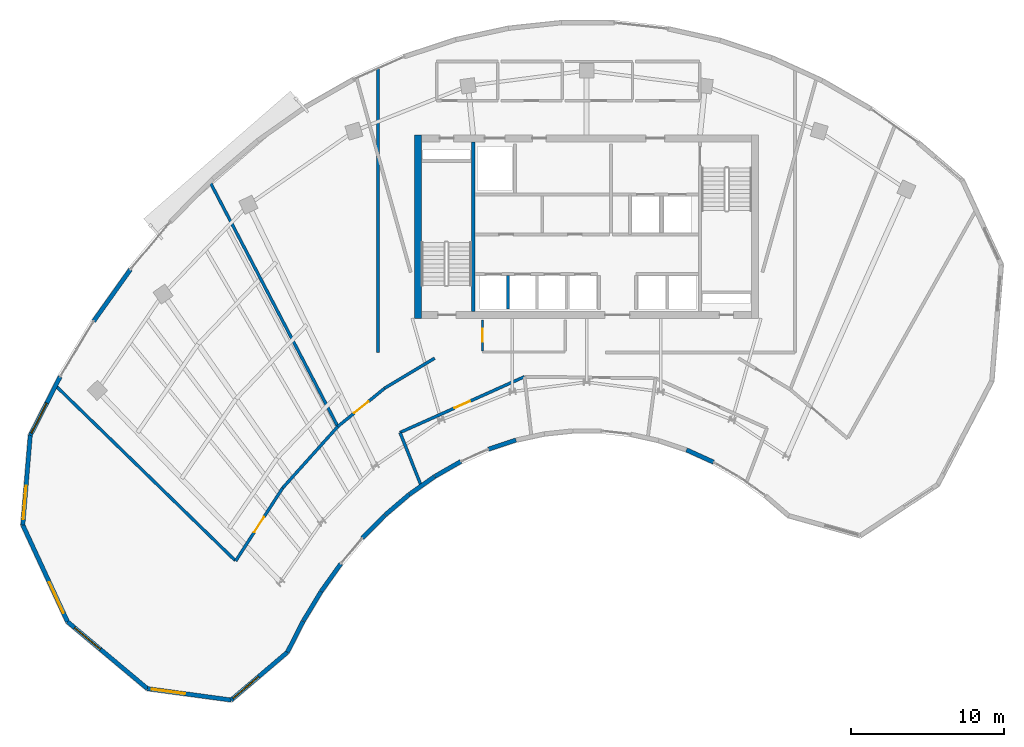
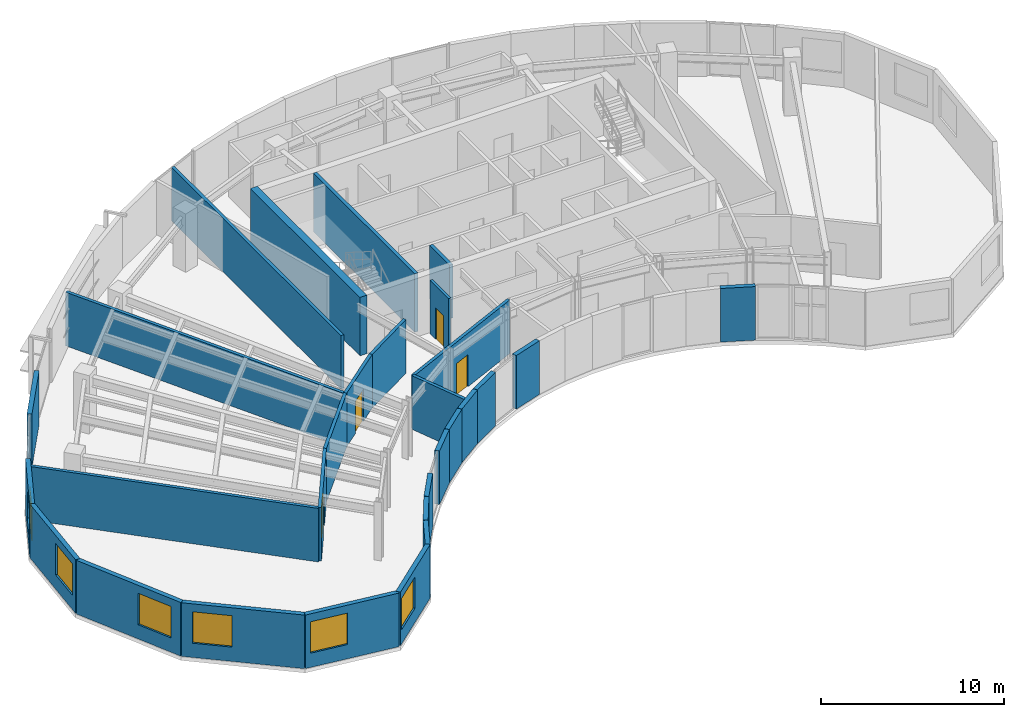
# One storey, part 7 of 12: 29 walls, 6 windows, 4 doors, 10 openings.
"""IFC4 building model written with IfcOpenShell, lengths in metres."""

from ifc_helpers import new_model, si_unit, direction, frame, frame_2d, origin, place, context, subcontext, project, spatial, rectangle, extrude, source, transform, mapped, material, layer, layer_set, type_object, type_shapes, element, fill, save


model = new_model("IFC4")

# Units and contexts
model_context = context("Model", 3, precision=1e-05, world=origin(), true_north=direction((0.0, 1.0)))
body_context = subcontext(model_context, "Body", "Model", "MODEL_VIEW")
ifc_project = project(units=[si_unit("LENGTHUNIT", "METRE"), si_unit("AREAUNIT", "SQUARE_METRE"), si_unit("VOLUMEUNIT", "CUBIC_METRE"), si_unit("PLANEANGLEUNIT", "RADIAN"), si_unit("MASSUNIT", "GRAM", prefix="KILO")], contexts=[model_context])

# Site, building, storey
site_placement = place(None, origin())
site = spatial("IfcSite", under=ifc_project, at=site_placement, CompositionType="ELEMENT")
building_placement = place(site_placement, origin())
building = spatial("IfcBuilding", under=site, at=building_placement, Name="Breltana Convention Tower", CompositionType="ELEMENT")
storey_placement = place(building_placement, frame((0.0, 0.0, 250.800048828125)))
storey = spatial("IfcBuildingStorey", under=building, at=storey_placement, Name="L61", CompositionType="ELEMENT", Elevation=250.800048828125)

# Walls
ifc_material_1 = material(Name="Concrete C60/75", Category="concrete")
ifc_layer_1 = layer(ifc_material_1, 0.449951171875, Name="Concrete C60/75")
ifc_layer_set_1 = layer_set([ifc_layer_1], Name="Concrete C60/75")
wall_type_1 = type_object("IfcWallType", Name="SW-CORE-450", PredefinedType="SHEAR", material=ifc_layer_set_1)
shared_shape_1 = source(origin(), body_context, "Body", "SweptSolid", [
    extrude(rectangle(XDim=12.0, YDim=0.449951171875, at=frame_2d((6.0, 0.0))), origin(), (0.0, 0.0, 1.0), 3.89990234375),
])
wall_1_placement = place(storey_placement, frame((36.97509765625, 60.199951171875, 0.0), z_axis=(0.0, 0.0, 1.0), x_axis=(0.0, 1.0, 0.0)))
element("IfcWall", 1, at=wall_1_placement, inside=storey, type_object=wall_type_1, Name="L61 West Core Shear Wall", PredefinedType="SHEAR", context=body_context, shape_type="MappedRepresentation", body=[
    mapped(shared_shape_1, transform((0.0, 0.0, 0.0), scale=1.0)),
])
ifc_material_2 = material(Name="Concrete C50/60", Category="concrete")
ifc_layer_2 = layer(ifc_material_2, 0.39990234375, Name="Concrete C50/60")
ifc_layer_set_2 = layer_set([ifc_layer_2], Name="Concrete C50/60")
wall_type_2 = type_object("IfcWallType", Name="SW-CORE-400", PredefinedType="SHEAR", material=ifc_layer_set_2)
shared_shape_2 = source(origin(), body_context, "Body", "SweptSolid", [
    extrude(rectangle(XDim=11.10009765625, YDim=0.219970703125, at=frame_2d((5.550048828125, 0.0))), origin(), (0.0, 0.0, 1.0), 3.89990234375),
])
wall_2_placement = place(storey_placement, frame((40.580078125, 60.64990234375, 0.0), z_axis=(0.0, 0.0, 1.0), x_axis=(0.0, 1.0, 0.0)))
element("IfcWall", 2, at=wall_2_placement, inside=storey, type_object=wall_type_2, Name="L61 Core West Stair Spine Wall", PredefinedType="SHEAR", context=body_context, shape_type="MappedRepresentation", body=[
    mapped(shared_shape_2, transform((0.0, 0.0, 0.0), scale=1.0)),
])
ifc_material_3 = material(Name="Limestone Buff Insulated Wall", Category="masonry")
ifc_layer_3 = layer(ifc_material_3, 0.280029296875, Name="Limestone Buff Insulated Wall")
ifc_layer_set_3 = layer_set([ifc_layer_3], Name="Limestone Buff Insulated Wall")
wall_type_3 = type_object("IfcWallType", Name="WL-EXT-NOSE-280", PredefinedType="SOLIDWALL", material=ifc_layer_set_3)
shared_shape_3 = source(origin(), body_context, "Body", "SweptSolid", [
    extrude(rectangle(XDim=1.932861328125, YDim=0.280029296875, at=frame_2d((0.96630859375, 0.0))), origin(), (0.0, 0.0, 1.0), 3.579833984375),
])
wall_3_placement = place(storey_placement, frame((56.2998046875, 50.802001953125, 0.0), z_axis=(0.0, 0.0, 1.0), x_axis=(-0.910478916145, 0.413555489936, 0.0)))
element("IfcWall", 3, at=wall_3_placement, inside=storey, type_object=wall_type_3, Name="L61 curved limestone nose wall E7", PredefinedType="SOLIDWALL", context=body_context, shape_type="MappedRepresentation", body=[
    mapped(shared_shape_3, transform((0.0, 0.0, 0.0), scale=1.0)),
])
shared_shape_4 = source(origin(), body_context, "Body", "SweptSolid", [
    extrude(rectangle(XDim=1.899658203125, YDim=0.280029296875, at=frame_2d((0.94970703125, 0.0))), origin(), (0.0, 0.0, 1.0), 3.579833984375),
])
wall_4_placement = place(storey_placement, frame((43.378173828125, 52.240966796875, 0.0), z_axis=(0.0, 0.0, 1.0), x_axis=(-0.949693643068, -0.313180434121, 0.0)))
element("IfcWall", 4, at=wall_4_placement, inside=storey, type_object=wall_type_3, Name="L61 curved limestone nose wall E13", PredefinedType="SOLIDWALL", context=body_context, shape_type="MappedRepresentation", body=[
    mapped(shared_shape_4, transform((0.0, 0.0, 0.0), scale=1.0)),
])
shared_shape_5 = source(origin(), body_context, "Body", "SweptSolid", [
    extrude(rectangle(XDim=1.968994140625, YDim=0.280029296875, at=frame_2d((0.984375, 0.0))), origin(), (0.0, 0.0, 1.0), 3.579833984375),
])
wall_5_placement = place(storey_placement, frame((39.77880859375, 50.84228515625, 0.0), z_axis=(0.0, 0.0, 1.0), x_axis=(-0.86797594681, -0.496606238139, 0.0)))
element("IfcWall", 5, at=wall_5_placement, inside=storey, type_object=wall_type_3, Name="L61 curved limestone nose wall E14", PredefinedType="SOLIDWALL", context=body_context, shape_type="MappedRepresentation", body=[
    mapped(shared_shape_5, transform((0.0, 0.0, 0.0), scale=1.0)),
])
shared_shape_6 = source(origin(), body_context, "Body", "SweptSolid", [
    extrude(rectangle(XDim=2.011962890625, YDim=0.280029296875, at=frame_2d((1.005859375, 0.0))), origin(), (0.0, 0.0, 1.0), 3.579833984375),
])
wall_6_placement = place(storey_placement, frame((38.055419921875, 49.855224609375, 0.0), z_axis=(0.0, 0.0, 1.0), x_axis=(-0.817008215805, -0.576626027255, 0.0)))
element("IfcWall", 6, at=wall_6_placement, inside=storey, type_object=wall_type_3, Name="L61 curved limestone nose wall E15", PredefinedType="SOLIDWALL", context=body_context, shape_type="MappedRepresentation", body=[
    mapped(shared_shape_6, transform((0.0, 0.0, 0.0), scale=1.0)),
])
shared_shape_7 = source(origin(), body_context, "Body", "SweptSolid", [
    extrude(rectangle(XDim=2.0595703125, YDim=0.280029296875, at=frame_2d((1.02978515625, 0.0))), origin(), (0.0, 0.0, 1.0), 3.579833984375),
])
wall_7_placement = place(storey_placement, frame((36.398681640625, 48.68505859375, 0.0), z_axis=(0.0, 0.0, 1.0), x_axis=(-0.761494573969, -0.648171284319, 0.0)))
element("IfcWall", 7, at=wall_7_placement, inside=storey, type_object=wall_type_3, Name="L61 curved limestone nose wall E16", PredefinedType="SOLIDWALL", context=body_context, shape_type="MappedRepresentation", body=[
    mapped(shared_shape_7, transform((0.0, 0.0, 0.0), scale=1.0)),
])
shared_shape_8 = source(origin(), body_context, "Body", "SweptSolid", [
    extrude(rectangle(XDim=2.109619140625, YDim=0.280029296875, at=frame_2d((1.0546875, 0.0))), origin(), (0.0, 0.0, 1.0), 3.579833984375),
])
wall_8_placement = place(storey_placement, frame((34.819091796875, 47.339599609375, 0.0), z_axis=(0.0, 0.0, 1.0), x_axis=(-0.702695473125, -0.711490739258, 0.0)))
element("IfcWall", 8, at=wall_8_placement, inside=storey, type_object=wall_type_3, Name="L61 curved limestone nose wall E17", PredefinedType="SOLIDWALL", context=body_context, shape_type="MappedRepresentation", body=[
    mapped(shared_shape_8, transform((0.0, 0.0, 0.0), scale=1.0)),
])
shared_shape_9 = source(origin(), body_context, "Body", "SweptSolid", [
    extrude(rectangle(XDim=2.211669921875, YDim=0.280029296875, at=frame_2d((1.10595703125, 0.0))), origin(), (0.0, 0.0, 1.0), 3.579833984375),
])
wall_9_placement = place(storey_placement, frame((31.931396484375, 44.159423828125, 0.0), z_axis=(0.0, 0.0, 1.0), x_axis=(-0.579639452819, -0.814873060504, 0.0)))
element("IfcWall", 9, at=wall_9_placement, inside=storey, type_object=wall_type_3, Name="L61 curved limestone nose wall E18", PredefinedType="SOLIDWALL", context=body_context, shape_type="MappedRepresentation", body=[
    mapped(shared_shape_9, transform((0.0, 0.0, 0.0), scale=1.0)),
])
shared_shape_10 = source(origin(), body_context, "Body", "SweptSolid", [
    extrude(rectangle(XDim=2.260986328125, YDim=0.280029296875, at=frame_2d((1.13037109375, 0.0))), origin(), (0.0, 0.0, 1.0), 3.579833984375),
])
wall_10_placement = place(storey_placement, frame((30.64208984375, 42.345703125, 0.0), z_axis=(0.0, 0.0, 1.0), x_axis=(-0.516891494538, -0.856050923062, 0.0)))
element("IfcWall", 10, at=wall_10_placement, inside=storey, type_object=wall_type_3, Name="L61 curved limestone nose wall E19", PredefinedType="SOLIDWALL", context=body_context, shape_type="MappedRepresentation", body=[
    mapped(shared_shape_10, transform((0.0, 0.0, 0.0), scale=1.0)),
])
shared_shape_11 = source(origin(), body_context, "Body", "SweptSolid", [
    extrude(rectangle(XDim=2.271484375, YDim=0.280029296875, at=frame_2d((1.1357421875, 0.0))), origin(), (0.0, 0.0, 1.0), 3.579833984375),
])
wall_11_placement = place(storey_placement, frame((29.467041015625, 40.39892578125, 0.0), z_axis=(0.0, 0.0, 1.0), x_axis=(-0.453993402883, -0.891005044957, 0.0)))
element("IfcWall", 11, at=wall_11_placement, inside=storey, type_object=wall_type_3, Name="L61 curved limestone nose wall W1", PredefinedType="SOLIDWALL", context=body_context, shape_type="MappedRepresentation", body=[
    mapped(shared_shape_11, transform((0.0, 0.0, 0.0), scale=1.0)),
])

# Wall, opening, window
shared_shape_12 = source(origin(), body_context, "Body", "SweptSolid", [
    extrude(rectangle(XDim=4.830078125, YDim=0.280029296875, at=frame_2d((2.4150390625, 0.0))), origin(), (0.0, 0.0, 1.0), 3.579833984375),
])
wall_12_placement = place(storey_placement, frame((28.435791015625, 38.375, 0.0), z_axis=(0.0, 0.0, 1.0), x_axis=(-0.761890676316, -0.647705640968, 0.0)))
wall_12 = element("IfcWall", 12, at=wall_12_placement, inside=storey, type_object=wall_type_3, Name="L61 curved limestone nose wall W2", PredefinedType="SOLIDWALL", context=body_context, shape_type="MappedRepresentation", body=[
    mapped(shared_shape_12, transform((0.0, 0.0, 0.0), scale=1.0)),
])
opening_1_placement = place(wall_12_placement, frame((2.4697265625, 0.0, 0.949951171875)))
opening_1 = element("IfcOpeningElement", 13, at=opening_1_placement, cuts=wall_12, Name="Opening W-03", PredefinedType="OPENING", context=body_context, shape_type="SweptSolid", body=[
    extrude(rectangle(XDim=2.199951171875, YDim=2.10009765625, at=frame_2d((1.10009765625, 1.050048828125))), frame((0.0, 0.14990234375, 0.0), z_axis=(0.0, -1.0, 0.0), x_axis=(1.0, 0.0, 0.0)), (0.0, 0.0, 1.0), 0.300048828125),
])
ifc_material_4 = material(Name="Glass Low-E Insulated Window", Category="glass")
window_type = type_object("IfcWindowType", Name="WN-NOSE-2200X2100", PartitioningType="TRIPLE_PANEL_VERTICAL", PredefinedType="WINDOW", material=ifc_material_4)
shared_shape_13 = source(origin(), body_context, "Body", "SweptSolid", [
    extrude(rectangle(XDim=2.199951171875, YDim=2.10009765625, at=frame_2d((1.10009765625, 1.050048828125))), frame((0.0, 0.030029296875, 0.0), z_axis=(0.0, -1.0, 0.0), x_axis=(1.0, 0.0, 0.0)), (0.0, 0.0, 1.0), 0.06005859375),
])
type_shapes(window_type, [shared_shape_13])
window_1_placement = place(opening_1_placement, origin())
window_1 = element("IfcWindow", 14, at=window_1_placement, inside=storey, type_object=window_type, Name="L61 nose window W2", OverallHeight=2.10009765625, OverallWidth=2.199951171875, PartitioningType="TRIPLE_PANEL_VERTICAL", PredefinedType="WINDOW", context=body_context, shape_type="MappedRepresentation", body=[
    mapped(shared_shape_13, transform((0.0, 0.0, 0.0), scale=1.0)),
])
fill(opening_1, window_1)

shared_shape_14 = source(origin(), body_context, "Body", "SweptSolid", [
    extrude(rectangle(XDim=5.51953125, YDim=0.280029296875, at=frame_2d((2.759765625, 0.0))), origin(), (0.0, 0.0, 1.0), 3.579833984375),
])
wall_13_placement = place(storey_placement, frame((24.755859375, 35.24658203125, 0.0), z_axis=(0.0, 0.0, 1.0), x_axis=(-0.99093029136, 0.134376923856, 0.0)))
wall_13 = element("IfcWall", 15, at=wall_13_placement, inside=storey, type_object=wall_type_3, Name="L61 curved limestone nose wall W3", PredefinedType="SOLIDWALL", context=body_context, shape_type="MappedRepresentation", body=[
    mapped(shared_shape_14, transform((0.0, 0.0, 0.0), scale=1.0)),
])
opening_2_placement = place(wall_13_placement, frame((3.039794921875, 0.0, 0.949951171875)))
opening_2 = element("IfcOpeningElement", 16, at=opening_2_placement, cuts=wall_13, Name="Opening W-03", PredefinedType="OPENING", context=body_context, shape_type="SweptSolid", body=[
    extrude(rectangle(XDim=2.199951171875, YDim=2.10009765625, at=frame_2d((1.10009765625, 1.050048828125))), frame((0.0, 0.14990234375, 0.0), z_axis=(0.0, -1.0, 0.0), x_axis=(1.0, 0.0, 0.0)), (0.0, 0.0, 1.0), 0.300048828125),
])
window_2_placement = place(opening_2_placement, origin())
window_2 = element("IfcWindow", 17, at=window_2_placement, inside=storey, type_object=window_type, Name="L61 nose window W3", OverallHeight=2.10009765625, OverallWidth=2.199951171875, PartitioningType="TRIPLE_PANEL_VERTICAL", PredefinedType="WINDOW", context=body_context, shape_type="MappedRepresentation", body=[
    mapped(shared_shape_13, transform((0.0, 0.0, 0.0), scale=1.0)),
])
fill(opening_2, window_2)

shared_shape_15 = source(origin(), body_context, "Body", "SweptSolid", [
    extrude(rectangle(XDim=6.81201171875, YDim=0.280029296875, at=frame_2d((3.406005859375, 0.0))), origin(), (0.0, 0.0, 1.0), 3.579833984375),
])
wall_14_placement = place(storey_placement, frame((19.286376953125, 35.98828125, 0.0), z_axis=(0.0, 0.0, 1.0), x_axis=(-0.766712133953, 0.641991046394, 0.0)))
wall_14 = element("IfcWall", 18, at=wall_14_placement, inside=storey, type_object=wall_type_3, Name="L61 curved limestone nose wall W4", PredefinedType="SOLIDWALL", context=body_context, shape_type="MappedRepresentation", body=[
    mapped(shared_shape_15, transform((0.0, 0.0, 0.0), scale=1.0)),
])
opening_3_placement = place(wall_14_placement, frame((4.009033203125, 0.0, 0.949951171875)))
opening_3 = element("IfcOpeningElement", 19, at=opening_3_placement, cuts=wall_14, Name="Opening W-03", PredefinedType="OPENING", context=body_context, shape_type="SweptSolid", body=[
    extrude(rectangle(XDim=2.199951171875, YDim=2.10009765625, at=frame_2d((1.10009765625, 1.050048828125))), frame((0.0, 0.14990234375, 0.0), z_axis=(0.0, -1.0, 0.0), x_axis=(1.0, 0.0, 0.0)), (0.0, 0.0, 1.0), 0.300048828125),
])
window_3_placement = place(opening_3_placement, origin())
window_3 = element("IfcWindow", 20, at=window_3_placement, inside=storey, type_object=window_type, Name="L61 nose window W4", OverallHeight=2.10009765625, OverallWidth=2.199951171875, PartitioningType="TRIPLE_PANEL_VERTICAL", PredefinedType="WINDOW", context=body_context, shape_type="MappedRepresentation", body=[
    mapped(shared_shape_13, transform((0.0, 0.0, 0.0), scale=1.0)),
])
fill(opening_3, window_3)

shared_shape_16 = source(origin(), body_context, "Body", "SweptSolid", [
    extrude(rectangle(XDim=6.976806640625, YDim=0.280029296875, at=frame_2d((3.48828125, 0.0))), origin(), (0.0, 0.0, 1.0), 3.579833984375),
])
wall_15_placement = place(storey_placement, frame((14.0634765625, 40.361572265625, 0.0), z_axis=(0.0, 0.0, 1.0), x_axis=(-0.41966832263, 0.907677530283, 0.0)))
wall_15 = element("IfcWall", 21, at=wall_15_placement, inside=storey, type_object=wall_type_3, Name="L61 curved limestone nose wall W5", PredefinedType="SOLIDWALL", context=body_context, shape_type="MappedRepresentation", body=[
    mapped(shared_shape_16, transform((0.0, 0.0, 0.0), scale=1.0)),
])
opening_4_placement = place(wall_15_placement, frame((0.644287109375, 0.0, 0.949951171875)))
opening_4 = element("IfcOpeningElement", 22, at=opening_4_placement, cuts=wall_15, Name="Opening W-03", PredefinedType="OPENING", context=body_context, shape_type="SweptSolid", body=[
    extrude(rectangle(XDim=2.199951171875, YDim=2.10009765625, at=frame_2d((1.10009765625, 1.050048828125))), frame((0.0, 0.14990234375, 0.0), z_axis=(0.0, -1.0, 0.0), x_axis=(1.0, 0.0, 0.0)), (0.0, 0.0, 1.0), 0.300048828125),
])
window_4_placement = place(opening_4_placement, origin())
window_4 = element("IfcWindow", 23, at=window_4_placement, inside=storey, type_object=window_type, Name="L61 nose window W5", OverallHeight=2.10009765625, OverallWidth=2.199951171875, PartitioningType="TRIPLE_PANEL_VERTICAL", PredefinedType="WINDOW", context=body_context, shape_type="MappedRepresentation", body=[
    mapped(shared_shape_13, transform((0.0, 0.0, 0.0), scale=1.0)),
])
fill(opening_4, window_4)

shared_shape_17 = source(origin(), body_context, "Body", "SweptSolid", [
    extrude(rectangle(XDim=5.880859375, YDim=0.280029296875, at=frame_2d((2.9404296875, 0.0))), origin(), (0.0, 0.0, 1.0), 3.579833984375),
])
wall_16_placement = place(storey_placement, frame((11.135498046875, 46.6943359375, 0.0), z_axis=(0.0, 0.0, 1.0), x_axis=(0.083320333731, 0.996522815588, 0.0)))
wall_16 = element("IfcWall", 24, at=wall_16_placement, inside=storey, type_object=wall_type_3, Name="L61 curved limestone nose wall W6", PredefinedType="SOLIDWALL", context=body_context, shape_type="MappedRepresentation", body=[
    mapped(shared_shape_17, transform((0.0, 0.0, 0.0), scale=1.0)),
])
opening_5_placement = place(wall_16_placement, frame((0.3701171875, 0.0, 0.949951171875)))
opening_5 = element("IfcOpeningElement", 25, at=opening_5_placement, cuts=wall_16, Name="Opening W-03", PredefinedType="OPENING", context=body_context, shape_type="SweptSolid", body=[
    extrude(rectangle(XDim=2.199951171875, YDim=2.10009765625, at=frame_2d((1.10009765625, 1.050048828125))), frame((0.0, 0.14990234375, 0.0), z_axis=(0.0, -1.0, 0.0), x_axis=(1.0, 0.0, 0.0)), (0.0, 0.0, 1.0), 0.300048828125),
])
window_5_placement = place(opening_5_placement, origin())
window_5 = element("IfcWindow", 26, at=window_5_placement, inside=storey, type_object=window_type, Name="L61 nose window W6", OverallHeight=2.10009765625, OverallWidth=2.199951171875, PartitioningType="TRIPLE_PANEL_VERTICAL", PredefinedType="WINDOW", context=body_context, shape_type="MappedRepresentation", body=[
    mapped(shared_shape_13, transform((0.0, 0.0, 0.0), scale=1.0)),
])
fill(opening_5, window_5)

shared_shape_18 = source(origin(), body_context, "Body", "SweptSolid", [
    extrude(rectangle(XDim=4.30126953125, YDim=0.280029296875, at=frame_2d((2.150634765625, 0.0))), origin(), (0.0, 0.0, 1.0), 3.579833984375),
])
wall_17_placement = place(storey_placement, frame((11.62548828125, 52.5546875, 0.0), z_axis=(0.0, 0.0, 1.0), x_axis=(0.454011655096, 0.89099574468, 0.0)))
wall_17 = element("IfcWall", 27, at=wall_17_placement, inside=storey, type_object=wall_type_3, Name="L61 curved limestone nose wall W7", PredefinedType="SOLIDWALL", context=body_context, shape_type="MappedRepresentation", body=[
    mapped(shared_shape_18, transform((0.0, 0.0, 0.0), scale=1.0)),
])
opening_6_placement = place(wall_17_placement, frame((0.159912109375, 0.0, 0.949951171875)))
opening_6 = element("IfcOpeningElement", 28, at=opening_6_placement, cuts=wall_17, Name="Opening W-03", PredefinedType="OPENING", context=body_context, shape_type="SweptSolid", body=[
    extrude(rectangle(XDim=2.199951171875, YDim=2.10009765625, at=frame_2d((1.10009765625, 1.050048828125))), frame((0.0, 0.14990234375, 0.0), z_axis=(0.0, -1.0, 0.0), x_axis=(1.0, 0.0, 0.0)), (0.0, 0.0, 1.0), 0.300048828125),
])
window_6_placement = place(opening_6_placement, origin())
window_6 = element("IfcWindow", 29, at=window_6_placement, inside=storey, type_object=window_type, Name="L61 nose window W7", OverallHeight=2.10009765625, OverallWidth=2.199951171875, PartitioningType="TRIPLE_PANEL_VERTICAL", PredefinedType="WINDOW", context=body_context, shape_type="MappedRepresentation", body=[
    mapped(shared_shape_13, transform((0.0, 0.0, 0.0), scale=1.0)),
])
fill(opening_6, window_6)

# Walls
shared_shape_19 = source(origin(), body_context, "Body", "SweptSolid", [
    extrude(rectangle(XDim=4.14892578125, YDim=0.280029296875, at=frame_2d((2.074462890625, 0.0))), origin(), (0.0, 0.0, 1.0), 3.579833984375),
])
wall_18_placement = place(storey_placement, frame((15.77099609375, 60.018798828125, 0.0), z_axis=(0.0, 0.0, 1.0), x_axis=(0.579622789827, 0.814884913048, 0.0)))
element("IfcWall", 30, at=wall_18_placement, inside=storey, type_object=wall_type_3, Name="L61 curved limestone nose wall E20", PredefinedType="SOLIDWALL", context=body_context, shape_type="MappedRepresentation", body=[
    mapped(shared_shape_19, transform((0.0, 0.0, 0.0), scale=1.0)),
])
ifc_material_5 = material(Name="Autoclaved Aerated Concrete Block", Category="concrete")
ifc_layer_4 = layer(ifc_material_5, 0.199951171875, Name="Autoclaved Aerated Concrete Block")
ifc_layer_set_4 = layer_set([ifc_layer_4], Name="Autoclaved Aerated Concrete Block")
wall_type_4 = type_object("IfcWallType", Name="WL-SHAFT-200", PredefinedType="SOLIDWALL", material=ifc_layer_set_4)
shared_shape_20 = source(origin(), body_context, "Body", "SweptSolid", [
    extrude(rectangle(XDim=2.199951171875, YDim=0.199951171875, at=frame_2d((1.10009765625, 0.0))), origin(), (0.0, 0.0, 1.0), 3.579833984375),
])
wall_19_placement = place(storey_placement, frame((42.8701171875, 60.800048828125, 0.0), z_axis=(0.0, 0.0, 1.0), x_axis=(0.0, 1.0, 0.0)))
element("IfcWall", 31, at=wall_19_placement, inside=storey, type_object=wall_type_4, Name="L61 interior partition W-L61-SH-S-DIV1", PredefinedType="SOLIDWALL", context=body_context, shape_type="MappedRepresentation", body=[
    mapped(shared_shape_20, transform((0.0, 0.0, 0.0), scale=1.0)),
])

# Wall, opening, door
ifc_material_6 = material(Name="Gypsum Acoustic Drywall Partition")
ifc_layer_5 = layer(ifc_material_6, 0.14990234375, Name="Gypsum Acoustic Drywall Partition")
ifc_layer_set_5 = layer_set([ifc_layer_5], Name="Gypsum Acoustic Drywall Partition")
wall_type_5 = type_object("IfcWallType", Name="WL-PART-150", PredefinedType="PARTITIONING", material=ifc_layer_set_5)
shared_shape_21 = source(origin(), body_context, "Body", "SweptSolid", [
    extrude(rectangle(XDim=2.03271484375, YDim=0.14990234375, at=frame_2d((1.016357421875, 0.0))), origin(), (0.0, 0.0, 1.0), 3.579833984375),
])
wall_20_placement = place(storey_placement, frame((41.199951171875, 58.0673828125, 0.0), z_axis=(0.0, 0.0, 1.0), x_axis=(0.0, 1.0, 0.0)))
wall_20 = element("IfcWall", 32, at=wall_20_placement, inside=storey, type_object=wall_type_5, Name="L61 interior partition W-L61-CRSC-W", PredefinedType="PARTITIONING", context=body_context, shape_type="MappedRepresentation", body=[
    mapped(shared_shape_21, transform((0.0, 0.0, 0.0), scale=1.0)),
])
opening_7_placement = place(wall_20_placement, frame((0.59130859375, 0.0, 0.0)))
opening_7 = element("IfcOpeningElement", 33, at=opening_7_placement, cuts=wall_20, Name="Opening D-20", PredefinedType="OPENING", context=body_context, shape_type="SweptSolid", body=[
    extrude(rectangle(XDim=0.85009765625, YDim=2.10009765625, at=frame_2d((0.425048828125, 1.050048828125))), frame((0.0, 0.0849609375, 0.0), z_axis=(0.0, -1.0, 0.0), x_axis=(1.0, 0.0, 0.0)), (0.0, 0.0, 1.0), 0.169921875),
])
ifc_material_7 = material(Name="Steel Closet Fire Door", Category="steel")
door_type_1 = type_object("IfcDoorType", Name="DR-FD60-850", OperationType="NOTDEFINED", PredefinedType="DOOR", material=ifc_material_7)
shared_shape_22 = source(origin(), body_context, "Body", "SweptSolid", [
    extrude(rectangle(XDim=0.85009765625, YDim=2.10009765625, at=frame_2d((0.425048828125, 1.050048828125))), frame((0.0, 0.02490234375, 0.0), z_axis=(0.0, -1.0, 0.0), x_axis=(1.0, 0.0, 0.0)), (0.0, 0.0, 1.0), 0.050048828125),
])
type_shapes(door_type_1, [shared_shape_22])
door_1_placement = place(opening_7_placement, origin())
door_1 = element("IfcDoor", 34, at=door_1_placement, inside=storey, type_object=door_type_1, Name="L61 interior door D-L61-CRSC", OperationType="SINGLE_SWING_RIGHT", OverallHeight=2.10009765625, OverallWidth=0.85009765625, PredefinedType="DOOR", context=body_context, shape_type="MappedRepresentation", body=[
    mapped(shared_shape_22, transform((0.0, 0.0, 0.0), scale=1.0)),
])
fill(opening_7, door_1)

ifc_material_8 = material(Name="Gypsum Acoustic Hotel Wall")
ifc_layer_6 = layer(ifc_material_8, 0.195068359375, Name="Gypsum Acoustic Hotel Wall")
ifc_layer_set_6 = layer_set([ifc_layer_6], Name="Gypsum Acoustic Hotel Wall")
wall_type_6 = type_object("IfcWallType", Name="WL-HOTEL-200", PredefinedType="PARTITIONING", material=ifc_layer_set_6)
shared_shape_23 = source(origin(), body_context, "Body", "SweptSolid", [
    extrude(rectangle(XDim=8.912841796875, YDim=0.195068359375, at=frame_2d((4.45654296875, 0.0))), origin(), (0.0, 0.0, 1.0), 3.579833984375),
])
wall_21_placement = place(storey_placement, frame((35.802978515625, 52.73828125, 0.0), z_axis=(0.0, 0.0, 1.0), x_axis=(0.912488521546, 0.409102307555, 0.0)))
wall_21 = element("IfcWall", 35, at=wall_21_placement, inside=storey, type_object=wall_type_6, Name="L61 interior partition W-L61-ES1-COR", PredefinedType="PARTITIONING", context=body_context, shape_type="MappedRepresentation", body=[
    mapped(shared_shape_23, transform((0.0, 0.0, 0.0), scale=1.0)),
])
opening_8_placement = place(wall_21_placement, frame((3.906494140625, 0.0, 0.0)))
opening_8 = element("IfcOpeningElement", 36, at=opening_8_placement, cuts=wall_21, Name="Opening D-12", PredefinedType="OPENING", context=body_context, shape_type="SweptSolid", body=[
    extrude(rectangle(XDim=1.10009765625, YDim=2.14990234375, at=frame_2d((0.550048828125, 1.074951171875))), frame((0.0, 0.107421875, 0.0), z_axis=(0.0, -1.0, 0.0), x_axis=(1.0, 0.0, 0.0)), (0.0, 0.0, 1.0), 0.215087890625),
])
ifc_material_9 = material(Name="Timber Oak Acoustic Door", Category="wood")
door_type_2 = type_object("IfcDoorType", Name="DR-INT-1100", OperationType="NOTDEFINED", PredefinedType="DOOR", material=ifc_material_9)
shared_shape_24 = source(origin(), body_context, "Body", "SweptSolid", [
    extrude(rectangle(XDim=1.10009765625, YDim=2.14990234375, at=frame_2d((0.550048828125, 1.074951171875))), frame((0.0, 0.02490234375, 0.0), z_axis=(0.0, -1.0, 0.0), x_axis=(1.0, 0.0, 0.0)), (0.0, 0.0, 1.0), 0.050048828125),
])
type_shapes(door_type_2, [shared_shape_24])
door_2_placement = place(opening_8_placement, origin())
door_2 = element("IfcDoor", 37, at=door_2_placement, inside=storey, type_object=door_type_2, Name="L61 interior door D-L61-ES1", OperationType="SINGLE_SWING_LEFT", OverallHeight=2.14990234375, OverallWidth=1.10009765625, PredefinedType="DOOR", context=body_context, shape_type="MappedRepresentation", body=[
    mapped(shared_shape_24, transform((0.0, 0.0, 0.0), scale=1.0)),
])
fill(opening_8, door_2)

# Wall
shared_shape_25 = source(origin(), body_context, "Body", "SweptSolid", [
    extrude(rectangle(XDim=3.7490234375, YDim=0.195068359375, at=frame_2d((1.87451171875, 0.0))), origin(), (0.0, 0.0, 1.0), 3.579833984375),
])
wall_22_placement = place(storey_placement, frame((37.185791015625, 49.253662109375, 0.0), z_axis=(0.0, 0.0, 1.0), x_axis=(-0.368851771682, 0.92948823044, 0.0)))
element("IfcWall", 38, at=wall_22_placement, inside=storey, type_object=wall_type_6, Name="L61 interior partition W-L61-ES1-RA", PredefinedType="PARTITIONING", context=body_context, shape_type="MappedRepresentation", body=[
    mapped(shared_shape_25, transform((0.0, 0.0, 0.0), scale=1.0)),
])

# Wall, opening, door
shared_shape_26 = source(origin(), body_context, "Body", "SweptSolid", [
    extrude(rectangle(XDim=5.66845703125, YDim=0.195068359375, at=frame_2d((2.834228515625, 0.0))), origin(), (0.0, 0.0, 1.0), 3.579833984375),
])
wall_23_placement = place(storey_placement, frame((25.056396484375, 44.33740234375, 0.0), z_axis=(0.0, 0.0, 1.0), x_axis=(0.540868603668, 0.841107099938, 0.0)))
wall_23 = element("IfcWall", 39, at=wall_23_placement, inside=storey, type_object=wall_type_6, Name="L61 interior partition W-L61-EXWR1-COR1", PredefinedType="PARTITIONING", context=body_context, shape_type="MappedRepresentation", body=[
    mapped(shared_shape_26, transform((0.0, 0.0, 0.0), scale=1.0)),
])
opening_9_placement = place(wall_23_placement, frame((2.234375, 0.0, 0.0)))
opening_9 = element("IfcOpeningElement", 40, at=opening_9_placement, cuts=wall_23, Name="Opening D-10", PredefinedType="OPENING", context=body_context, shape_type="SweptSolid", body=[
    extrude(rectangle(XDim=1.199951171875, YDim=2.14990234375, at=frame_2d((0.60009765625, 1.074951171875))), frame((0.0, 0.107421875, 0.0), z_axis=(0.0, -1.0, 0.0), x_axis=(1.0, 0.0, 0.0)), (0.0, 0.0, 1.0), 0.215087890625),
])
ifc_material_10 = material(Name="Timber Oak Veneer Fire Door", Category="wood")
door_type_3 = type_object("IfcDoorType", Name="DR-INT-1200", OperationType="NOTDEFINED", PredefinedType="DOOR", material=ifc_material_10)
shared_shape_27 = source(origin(), body_context, "Body", "SweptSolid", [
    extrude(rectangle(XDim=1.199951171875, YDim=2.14990234375, at=frame_2d((0.60009765625, 1.074951171875))), frame((0.0, 0.02490234375, 0.0), z_axis=(0.0, -1.0, 0.0), x_axis=(1.0, 0.0, 0.0)), (0.0, 0.0, 1.0), 0.050048828125),
])
type_shapes(door_type_3, [shared_shape_27])
door_3_placement = place(opening_9_placement, origin())
door_3 = element("IfcDoor", 41, at=door_3_placement, inside=storey, type_object=door_type_3, Name="L61 interior door D-L61-EXWR1", OperationType="SINGLE_SWING_RIGHT", OverallHeight=2.14990234375, OverallWidth=1.199951171875, PredefinedType="DOOR", context=body_context, shape_type="MappedRepresentation", body=[
    mapped(shared_shape_27, transform((0.0, 0.0, 0.0), scale=1.0)),
])
fill(opening_9, door_3)

# Walls
shared_shape_28 = source(origin(), body_context, "Body", "SweptSolid", [
    extrude(rectangle(XDim=5.406982421875, YDim=0.195068359375, at=frame_2d((2.70361328125, 0.0))), origin(), (0.0, 0.0, 1.0), 3.579833984375),
])
wall_24_placement = place(storey_placement, frame((28.122314453125, 49.105224609375, 0.0), z_axis=(0.0, 0.0, 1.0), x_axis=(0.667851383423, 0.744294652447, 0.0)))
element("IfcWall", 42, at=wall_24_placement, inside=storey, type_object=wall_type_6, Name="L61 interior partition W-L61-EXWR1-COR2", PredefinedType="PARTITIONING", context=body_context, shape_type="MappedRepresentation", body=[
    mapped(shared_shape_28, transform((0.0, 0.0, 0.0), scale=1.0)),
])
shared_shape_29 = source(origin(), body_context, "Body", "SweptSolid", [
    extrude(rectangle(XDim=16.379638671875, YDim=0.195068359375, at=frame_2d((8.18994140625, 0.0))), origin(), (0.0, 0.0, 1.0), 3.579833984375),
])
wall_25_placement = place(storey_placement, frame((25.02392578125, 44.368896484375, 0.0), z_axis=(0.0, 0.0, 1.0), x_axis=(-0.716522943697, 0.697563524817, 0.0)))
element("IfcWall", 43, at=wall_25_placement, inside=storey, type_object=wall_type_6, Name="L61 interior partition W-L61-EXWR1-RA", PredefinedType="PARTITIONING", context=body_context, shape_type="MappedRepresentation", body=[
    mapped(shared_shape_29, transform((0.0, 0.0, 0.0), scale=1.0)),
])
shared_shape_30 = source(origin(), body_context, "Body", "SweptSolid", [
    extrude(rectangle(XDim=17.997314453125, YDim=0.195068359375, at=frame_2d((8.99853515625, 0.0))), origin(), (0.0, 0.0, 1.0), 3.579833984375),
])
wall_26_placement = place(storey_placement, frame((31.71044921875, 53.173583984375, 0.0), z_axis=(0.0, 0.0, 1.0), x_axis=(-0.463122237503, 0.886294416732, 0.0)))
element("IfcWall", 44, at=wall_26_placement, inside=storey, type_object=wall_type_6, Name="L61 interior partition W-L61-EXWR1-RB", PredefinedType="PARTITIONING", context=body_context, shape_type="MappedRepresentation", body=[
    mapped(shared_shape_30, transform((0.0, 0.0, 0.0), scale=1.0)),
])

# Wall, opening, door
shared_shape_31 = source(origin(), body_context, "Body", "SweptSolid", [
    extrude(rectangle(XDim=3.9541015625, YDim=0.195068359375, at=frame_2d((1.97705078125, 0.0))), origin(), (0.0, 0.0, 1.0), 3.579833984375),
])
wall_27_placement = place(storey_placement, frame((31.7333984375, 53.129638671875, 0.0), z_axis=(0.0, 0.0, 1.0), x_axis=(0.774345047596, 0.632763579281, 0.0)))
wall_27 = element("IfcWall", 45, at=wall_27_placement, inside=storey, type_object=wall_type_6, Name="L61 interior partition W-L61-EXWR2-COR1", PredefinedType="PARTITIONING", context=body_context, shape_type="MappedRepresentation", body=[
    mapped(shared_shape_31, transform((0.0, 0.0, 0.0), scale=1.0)),
])
opening_10_placement = place(wall_27_placement, frame((1.376953125, 0.0, 0.0)))
opening_10 = element("IfcOpeningElement", 46, at=opening_10_placement, cuts=wall_27, Name="Opening D-10", PredefinedType="OPENING", context=body_context, shape_type="SweptSolid", body=[
    extrude(rectangle(XDim=1.199951171875, YDim=2.14990234375, at=frame_2d((0.60009765625, 1.074951171875))), frame((0.0, 0.107421875, 0.0), z_axis=(0.0, -1.0, 0.0), x_axis=(1.0, 0.0, 0.0)), (0.0, 0.0, 1.0), 0.215087890625),
])
door_4_placement = place(opening_10_placement, origin())
door_4 = element("IfcDoor", 47, at=door_4_placement, inside=storey, type_object=door_type_3, Name="L61 interior door D-L61-EXWR2", OperationType="SINGLE_SWING_LEFT", OverallHeight=2.14990234375, OverallWidth=1.199951171875, PredefinedType="DOOR", context=body_context, shape_type="MappedRepresentation", body=[
    mapped(shared_shape_27, transform((0.0, 0.0, 0.0), scale=1.0)),
])
fill(opening_10, door_4)

# Walls
shared_shape_32 = source(origin(), body_context, "Body", "SweptSolid", [
    extrude(rectangle(XDim=3.817138671875, YDim=0.195068359375, at=frame_2d((1.90869140625, 0.0))), origin(), (0.0, 0.0, 1.0), 3.579833984375),
])
wall_28_placement = place(storey_placement, frame((34.795166015625, 55.631591796875, 0.0), z_axis=(0.0, 0.0, 1.0), x_axis=(0.857453418218, 0.514561595522, 0.0)))
element("IfcWall", 48, at=wall_28_placement, inside=storey, type_object=wall_type_6, Name="L61 interior partition W-L61-EXWR2-COR2", PredefinedType="PARTITIONING", context=body_context, shape_type="MappedRepresentation", body=[
    mapped(shared_shape_32, transform((0.0, 0.0, 0.0), scale=1.0)),
])
shared_shape_33 = source(origin(), body_context, "Body", "SweptSolid", [
    extrude(rectangle(XDim=18.567138671875, YDim=0.195068359375, at=frame_2d((9.28369140625, 0.0))), origin(), (0.0, 0.0, 1.0), 3.579833984375),
])
wall_29_placement = place(storey_placement, frame((34.360107421875, 57.9599609375, 0.0), z_axis=(0.0, 0.0, 1.0), x_axis=(0.0, 1.0, 0.0)))
element("IfcWall", 49, at=wall_29_placement, inside=storey, type_object=wall_type_6, Name="L61 interior partition W-L61-EXWR-CL", PredefinedType="PARTITIONING", context=body_context, shape_type="MappedRepresentation", body=[
    mapped(shared_shape_33, transform((0.0, 0.0, 0.0), scale=1.0)),
])

save(model, "model.ifc")
